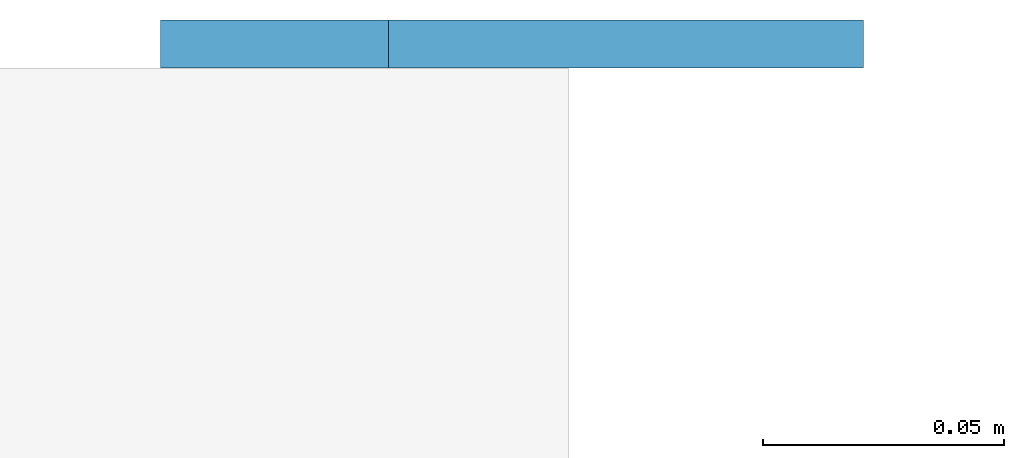
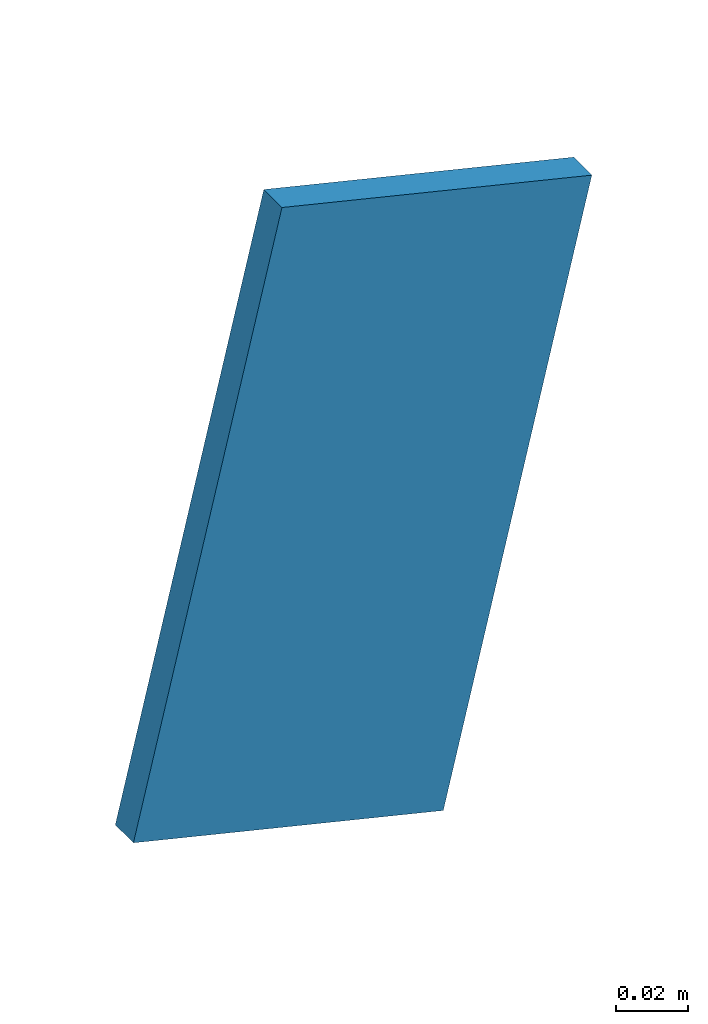
# One storey, part 6 of 13: 1 discrete accessory.
"""IFC4 building model written with IfcOpenShell, lengths in metres."""

from ifc_helpers import new_model, si_unit, direction, frame, origin, origin_2d, place, context, subcontext, project, spatial, rectangle, extrude, material, material_profile, profile_set, type_object, element, save


model = new_model("IFC4")

# Units and contexts
model_context = context("Model", 3, precision=1e-05, world=origin(), true_north=direction((0.0, 1.0)))
body_context = subcontext(model_context, "Body", "Model", "MODEL_VIEW")
ifc_project = project(units=[si_unit("LENGTHUNIT", "METRE"), si_unit("AREAUNIT", "SQUARE_METRE"), si_unit("VOLUMEUNIT", "CUBIC_METRE"), si_unit("PLANEANGLEUNIT", "RADIAN"), si_unit("MASSUNIT", "GRAM", prefix="KILO")], contexts=[model_context])

# Site, building, storey
site_placement = place(None, origin())
site = spatial("IfcSite", under=ifc_project, at=site_placement, CompositionType="ELEMENT")
building_placement = place(site_placement, origin())
building = spatial("IfcBuilding", under=site, at=building_placement, Name="Verrick Yard Athletic Hall", CompositionType="ELEMENT")
storey_placement = place(building_placement, frame((0.0, 0.0, 21.5)))
storey = spatial("IfcBuildingStorey", under=building, at=storey_placement, Name="Upper Roof", CompositionType="ELEMENT", Elevation=21.5)

# Discrete accessory
ifc_material = material(Name="Structural steel 350W (CSA G40.21)", Category="steel")
ifc_material_profile = material_profile(ifc_material, rectangle(XDim=0.1015625, YDim=0.203125, at=origin_2d()), Name="STR End cap plate 203x102x9.5")
ifc_profile_set = profile_set([ifc_material_profile], Name="Structural steel 350W (CSA G40.21)")
discrete_accessory_type = type_object("IfcDiscreteAccessoryType", Name="STR End cap plate 203x102x9.5", PredefinedType="BRACKET", material=ifc_profile_set)
discrete_accessory_placement = place(storey_placement, frame((63.10693359375, 108.0, 0.151611328125), z_axis=(0.0, 1.0, 0.0), x_axis=(-0.972458956474, 0.0, 0.23307418985)))
element("IfcDiscreteAccessory", 1, at=discrete_accessory_placement, inside=storey, type_object=discrete_accessory_type, Name="End cap HB-PU-B-5-13 B", PredefinedType="BRACKET", context=body_context, shape_type="SweptSolid", body=[
    extrude(rectangle(XDim=0.1015625, YDim=0.203125, at=origin_2d()), origin(), (0.0, 0.0, 1.0), 0.010009765625),
])

save(model, "model.ifc")
